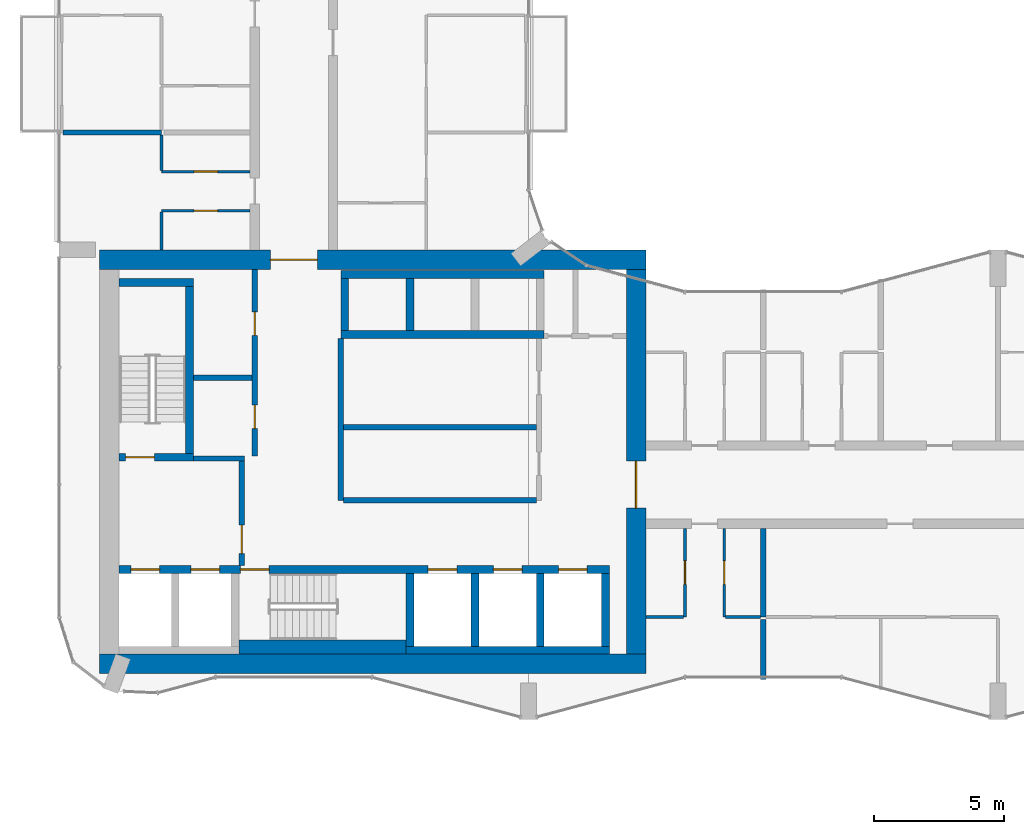
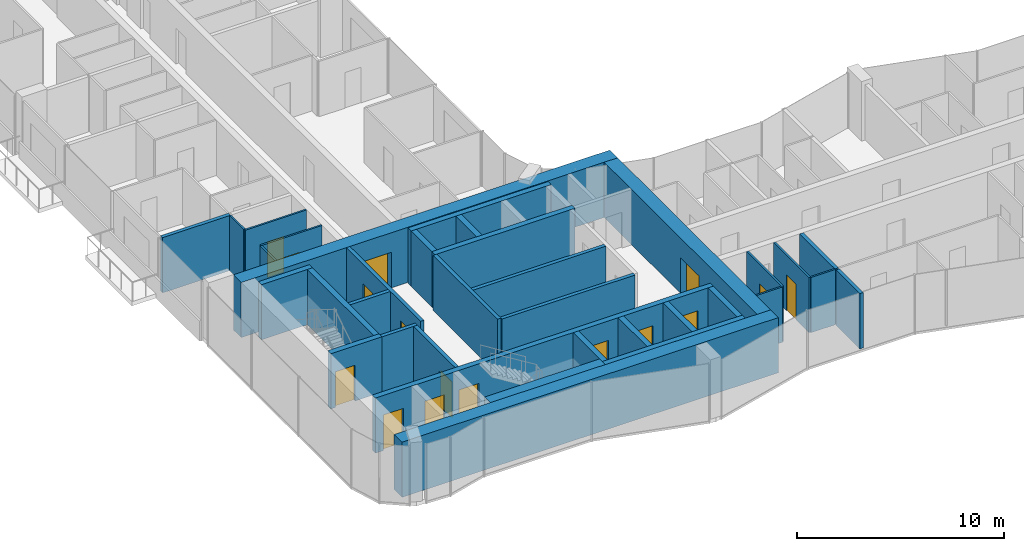
# One storey, part 13 of 23: 35 walls, 16 doors, 16 openings.
"""IFC4 building model written with IfcOpenShell, lengths in metres."""

from ifc_helpers import new_model, si_unit, direction, frame, frame_2d, origin, place, context, subcontext, project, spatial, rectangle, extrude, material, layer, layer_set, type_object, element, fill, save


model = new_model("IFC4")

# Units and contexts
model_context = context("Model", 3, precision=1e-05, world=origin(), true_north=direction((0.0, 1.0)))
body_context = subcontext(model_context, "Body", "Model", "MODEL_VIEW")
ifc_project = project(units=[si_unit("LENGTHUNIT", "METRE"), si_unit("AREAUNIT", "SQUARE_METRE"), si_unit("VOLUMEUNIT", "CUBIC_METRE"), si_unit("PLANEANGLEUNIT", "RADIAN"), si_unit("MASSUNIT", "GRAM", prefix="KILO")], contexts=[model_context])

# Site, building, storey
site_placement = place(None, origin())
site = spatial("IfcSite", under=ifc_project, at=site_placement, CompositionType="ELEMENT")
building_placement = place(site_placement, origin())
building = spatial("IfcBuilding", under=site, at=building_placement, Name="Plateau Cross Towers", CompositionType="ELEMENT")
storey_placement = place(building_placement, frame((0.0, 0.0, 33.800048828125)))
storey = spatial("IfcBuildingStorey", under=building, at=storey_placement, Name="L07", CompositionType="ELEMENT", Elevation=33.800048828125)

# Wall, opening, door
ifc_material_1 = material(Name="Concrete block, plastered both sides", Category="concrete")
ifc_layer_1 = layer(ifc_material_1, 0.199951171875)
ifc_layer_set_1 = layer_set([ifc_layer_1], Name="Concrete block, plastered both sides")
wall_type_1 = type_object("IfcWallType", Name="Core partition 200", PredefinedType="PARTITIONING", material=ifc_layer_set_1)
wall_1_placement = place(storey_placement, frame((7.0, 5.89990234375, 0.0), z_axis=(0.0, 0.0, 1.0), x_axis=(0.0, 1.0, 0.0)))
wall_1 = element("IfcWall", 1, at=wall_1_placement, inside=storey, type_object=wall_type_1, Name="Core partition", PredefinedType="PARTITIONING", context=body_context, shape_type="SweptSolid", body=[
    extrude(rectangle(XDim=4.0, YDim=0.199951171875, at=frame_2d((2.0, 0.0))), origin(), (0.0, 0.0, 1.0), 3.25),
])
opening_1_placement = place(wall_1_placement, frame((0.449951171875, 0.0, 0.0)))
opening_1 = element("IfcOpeningElement", 2, at=opening_1_placement, cuts=wall_1, Name="Opening FFD", PredefinedType="OPENING", context=body_context, shape_type="SweptSolid", body=[
    extrude(rectangle(XDim=1.10009765625, YDim=2.10009765625, at=frame_2d((0.550048828125, 1.050048828125))), frame((0.0, 0.10986328125, 0.0), z_axis=(0.0, -1.0, 0.0), x_axis=(1.0, 0.0, 0.0)), (0.0, 0.0, 1.0), 0.219970703125),
])
ifc_material_2 = material(Name="Steel, fire-resisting leaf", Category="steel")
door_type_1 = type_object("IfcDoorType", Name="Firefighting lobby door 1100", OperationType="NOTDEFINED", PredefinedType="DOOR", material=ifc_material_2)
door_1_placement = place(opening_1_placement, origin())
door_1 = element("IfcDoor", 3, at=door_1_placement, inside=storey, type_object=door_type_1, Name="Firefighting lobby door FFD", OperationType="SINGLE_SWING_LEFT", OverallHeight=2.10009765625, OverallWidth=1.10009765625, PredefinedType="DOOR", context=body_context, shape_type="SweptSolid", body=[
    extrude(rectangle(XDim=1.10009765625, YDim=2.10009765625, at=frame_2d((0.550048828125, 1.050048828125))), frame((0.0, 0.02490234375, 0.0), z_axis=(0.0, -1.0, 0.0), x_axis=(1.0, 0.0, 0.0)), (0.0, 0.0, 1.0), 0.050048828125),
])
fill(opening_1, door_1)

# Walls
wall_2_placement = place(storey_placement, frame((5.14990234375, 10.0, 0.0), z_axis=(0.0, 0.0, 1.0), x_axis=(1.0, 0.0, 0.0)))
element("IfcWall", 4, at=wall_2_placement, inside=storey, type_object=wall_type_1, Name="Core partition", PredefinedType="PARTITIONING", context=body_context, shape_type="SweptSolid", body=[
    extrude(rectangle(XDim=1.9501953125, YDim=0.199951171875, at=frame_2d((0.97509765625, 0.0))), origin(), (0.0, 0.0, 1.0), 3.25),
])
wall_3_placement = place(storey_placement, frame((10.800048828125, 8.39990234375, 0.0), z_axis=(0.0, 0.0, 1.0), x_axis=(0.0, 1.0, 0.0)))
element("IfcWall", 5, at=wall_3_placement, inside=storey, type_object=wall_type_1, Name="Core partition", PredefinedType="PARTITIONING", context=body_context, shape_type="SweptSolid", body=[
    extrude(rectangle(XDim=6.2001953125, YDim=0.199951171875, at=frame_2d((3.10009765625, 0.0))), origin(), (0.0, 0.0, 1.0), 3.25),
])
for number, where, z_axis, x_axis, name in (
    (6, (10.89990234375, 8.39990234375, 0.0), (0.0, 0.0, 1.0), (1.0, 0.0, 0.0), "Core partition"),
    (7, (10.89990234375, 11.199951171875, 0.0), (0.0, 0.0, 1.0), (1.0, 0.0, 0.0), "Core partition"),
):
    element("IfcWall", number, at=place(storey_placement, frame(where, z_axis=z_axis, x_axis=x_axis)), inside=storey, type_object=wall_type_1, Name=name, PredefinedType="PARTITIONING", context=body_context, shape_type="SweptSolid", body=[
        extrude(rectangle(XDim=7.400146484375, YDim=0.199951171875, at=frame_2d((3.7001953125, 0.0))), origin(), (0.0, 0.0, 1.0), 3.25),
    ])

# Wall, openings, doors
wall_4_placement = place(storey_placement, frame((7.5, 10.10009765625, 0.0), z_axis=(0.0, 0.0, 1.0), x_axis=(0.0, 1.0, 0.0)))
wall_4 = element("IfcWall", 8, at=wall_4_placement, inside=storey, type_object=wall_type_1, Name="Core partition", PredefinedType="PARTITIONING", context=body_context, shape_type="SweptSolid", body=[
    extrude(rectangle(XDim=7.14990234375, YDim=0.199951171875, at=frame_2d((3.574951171875, 0.0))), origin(), (0.0, 0.0, 1.0), 3.25),
])
opening_2_placement = place(wall_4_placement, frame((1.050048828125, 0.0, 0.0)))
opening_2 = element("IfcOpeningElement", 9, at=opening_2_placement, cuts=wall_4, Name="Opening RD1", PredefinedType="OPENING", context=body_context, shape_type="SweptSolid", body=[
    extrude(rectangle(XDim=0.89990234375, YDim=2.10009765625, at=frame_2d((0.449951171875, 1.050048828125))), frame((0.0, 0.10986328125, 0.0), z_axis=(0.0, -1.0, 0.0), x_axis=(1.0, 0.0, 0.0)), (0.0, 0.0, 1.0), 0.219970703125),
])
opening_3_placement = place(wall_4_placement, frame((4.625, 0.0, 0.0)))
opening_3 = element("IfcOpeningElement", 10, at=opening_3_placement, cuts=wall_4, Name="Opening RD1", PredefinedType="OPENING", context=body_context, shape_type="SweptSolid", body=[
    extrude(rectangle(XDim=0.89990234375, YDim=2.10009765625, at=frame_2d((0.449951171875, 1.050048828125))), frame((0.0, 0.10986328125, 0.0), z_axis=(0.0, -1.0, 0.0), x_axis=(1.0, 0.0, 0.0)), (0.0, 0.0, 1.0), 0.219970703125),
])
ifc_material_3 = material(Name="Timber, fire-resisting leaf", Category="wood")
door_type_2 = type_object("IfcDoorType", Name="Core service door 900", OperationType="NOTDEFINED", PredefinedType="DOOR", material=ifc_material_3)
door_2_placement = place(opening_2_placement, origin())
door_2 = element("IfcDoor", 11, at=door_2_placement, inside=storey, type_object=door_type_2, Name="Core service door RD1", OperationType="SINGLE_SWING_RIGHT", OverallHeight=2.10009765625, OverallWidth=0.89990234375, PredefinedType="DOOR", context=body_context, shape_type="SweptSolid", body=[
    extrude(rectangle(XDim=0.89990234375, YDim=2.10009765625, at=frame_2d((0.449951171875, 1.050048828125))), frame((0.0, 0.02490234375, 0.0), z_axis=(0.0, -1.0, 0.0), x_axis=(1.0, 0.0, 0.0)), (0.0, 0.0, 1.0), 0.050048828125),
])
fill(opening_2, door_2)
door_3_placement = place(opening_3_placement, origin())
door_3 = element("IfcDoor", 12, at=door_3_placement, inside=storey, type_object=door_type_2, Name="Core service door RD1", OperationType="SINGLE_SWING_RIGHT", OverallHeight=2.10009765625, OverallWidth=0.89990234375, PredefinedType="DOOR", context=body_context, shape_type="SweptSolid", body=[
    extrude(rectangle(XDim=0.89990234375, YDim=2.10009765625, at=frame_2d((0.449951171875, 1.050048828125))), frame((0.0, 0.02490234375, 0.0), z_axis=(0.0, -1.0, 0.0), x_axis=(1.0, 0.0, 0.0)), (0.0, 0.0, 1.0), 0.050048828125),
])
fill(opening_3, door_3)

# Walls
wall_5_placement = place(storey_placement, frame((5.14990234375, 13.10009765625, 0.0), z_axis=(0.0, 0.0, 1.0), x_axis=(1.0, 0.0, 0.0)))
element("IfcWall", 13, at=wall_5_placement, inside=storey, type_object=wall_type_1, Name="Core partition", PredefinedType="PARTITIONING", context=body_context, shape_type="SweptSolid", body=[
    extrude(rectangle(XDim=2.25, YDim=0.199951171875, at=frame_2d((1.125, 0.0))), origin(), (0.0, 0.0, 1.0), 3.25),
])
ifc_material_4 = material(Name="Concrete C60/75", Category="concrete")
ifc_layer_2 = layer(ifc_material_4, 0.300048828125)
ifc_layer_set_2 = layer_set([ifc_layer_2], Name="Concrete C60/75")
wall_type_2 = type_object("IfcWallType", Name="Core shaft wall 300", PredefinedType="SHEAR", material=ifc_layer_set_2)
wall_6_placement = place(storey_placement, frame((13.300048828125, 2.64990234375, 0.0), z_axis=(0.0, 0.0, 1.0), x_axis=(1.0, 0.0, 0.0)))
element("IfcWall", 14, at=wall_6_placement, inside=storey, type_object=wall_type_2, Name="A-sb-back3@L07", PredefinedType="SHEAR", context=body_context, shape_type="SweptSolid", body=[
    extrude(rectangle(XDim=7.800048828125, YDim=0.300048828125, at=frame_2d((3.89990234375, 0.0))), origin(), (0.0, 0.0, 1.0), 3.25),
])
for number, where, z_axis, x_axis, name in (
    (15, (13.449951171875, 2.800048828125, 0.0), (0.0, 0.0, 1.0), (0.0, 1.0, 0.0), "A-sb-v3@L07"),
    (16, (15.949951171875, 2.800048828125, 0.0), (0.0, 0.0, 1.0), (0.0, 1.0, 0.0), "A-sb-v4@L07"),
    (17, (18.449951171875, 2.800048828125, 0.0), (0.0, 0.0, 1.0), (0.0, 1.0, 0.0), "A-sb-v5@L07"),
    (18, (20.949951171875, 2.800048828125, 0.0), (0.0, 0.0, 1.0), (0.0, 1.0, 0.0), "A-sb-v6@L07"),
):
    element("IfcWall", number, at=place(storey_placement, frame(where, z_axis=z_axis, x_axis=x_axis)), inside=storey, type_object=wall_type_2, Name=name, PredefinedType="SHEAR", context=body_context, shape_type="SweptSolid", body=[
        extrude(rectangle(XDim=2.800048828125, YDim=0.300048828125, at=frame_2d((1.39990234375, 0.0))), origin(), (0.0, 0.0, 1.0), 3.25),
    ])

# Wall, openings, doors
wall_7_placement = place(storey_placement, frame((2.300048828125, 5.75, 0.0), z_axis=(0.0, 0.0, 1.0), x_axis=(1.0, 0.0, 0.0)))
wall_7 = element("IfcWall", 19, at=wall_7_placement, inside=storey, type_object=wall_type_2, Name="A-sb-front@L07", PredefinedType="SHEAR", context=body_context, shape_type="SweptSolid", body=[
    extrude(rectangle(XDim=18.800048828125, YDim=0.300048828125, at=frame_2d((9.39990234375, 0.0))), origin(), (0.0, 0.0, 1.0), 3.25),
])
opening_4_placement = place(wall_7_placement, frame((4.64990234375, 0.0, 0.0)))
opening_4 = element("IfcOpeningElement", 20, at=opening_4_placement, cuts=wall_7, Name="Opening SD", PredefinedType="OPENING", context=body_context, shape_type="SweptSolid", body=[
    extrude(rectangle(XDim=1.10009765625, YDim=2.10009765625, at=frame_2d((0.550048828125, 1.050048828125))), frame((0.0, 0.159912109375, 0.0), z_axis=(0.0, -1.0, 0.0), x_axis=(1.0, 0.0, 0.0)), (0.0, 0.0, 1.0), 0.320068359375),
])
opening_5_placement = place(wall_7_placement, frame((0.449951171875, 0.0, 0.0)))
opening_5 = element("IfcOpeningElement", 21, at=opening_5_placement, cuts=wall_7, Name="Opening LD", PredefinedType="OPENING", context=body_context, shape_type="SweptSolid", body=[
    extrude(rectangle(XDim=1.10009765625, YDim=2.10009765625, at=frame_2d((0.550048828125, 1.050048828125))), frame((0.0, 0.159912109375, 0.0), z_axis=(0.0, -1.0, 0.0), x_axis=(1.0, 0.0, 0.0)), (0.0, 0.0, 1.0), 0.320068359375),
])
opening_6_placement = place(wall_7_placement, frame((2.75, 0.0, 0.0)))
opening_6 = element("IfcOpeningElement", 22, at=opening_6_placement, cuts=wall_7, Name="Opening LD", PredefinedType="OPENING", context=body_context, shape_type="SweptSolid", body=[
    extrude(rectangle(XDim=1.10009765625, YDim=2.10009765625, at=frame_2d((0.550048828125, 1.050048828125))), frame((0.0, 0.159912109375, 0.0), z_axis=(0.0, -1.0, 0.0), x_axis=(1.0, 0.0, 0.0)), (0.0, 0.0, 1.0), 0.320068359375),
])
opening_7_placement = place(wall_7_placement, frame((11.85009765625, 0.0, 0.0)))
opening_7 = element("IfcOpeningElement", 23, at=opening_7_placement, cuts=wall_7, Name="Opening LD", PredefinedType="OPENING", context=body_context, shape_type="SweptSolid", body=[
    extrude(rectangle(XDim=1.10009765625, YDim=2.10009765625, at=frame_2d((0.550048828125, 1.050048828125))), frame((0.0, 0.159912109375, 0.0), z_axis=(0.0, -1.0, 0.0), x_axis=(1.0, 0.0, 0.0)), (0.0, 0.0, 1.0), 0.320068359375),
])
opening_8_placement = place(wall_7_placement, frame((14.35009765625, 0.0, 0.0)))
opening_8 = element("IfcOpeningElement", 24, at=opening_8_placement, cuts=wall_7, Name="Opening LD", PredefinedType="OPENING", context=body_context, shape_type="SweptSolid", body=[
    extrude(rectangle(XDim=1.10009765625, YDim=2.10009765625, at=frame_2d((0.550048828125, 1.050048828125))), frame((0.0, 0.159912109375, 0.0), z_axis=(0.0, -1.0, 0.0), x_axis=(1.0, 0.0, 0.0)), (0.0, 0.0, 1.0), 0.320068359375),
])
opening_9_placement = place(wall_7_placement, frame((16.85009765625, 0.0, 0.0)))
opening_9 = element("IfcOpeningElement", 25, at=opening_9_placement, cuts=wall_7, Name="Opening LD", PredefinedType="OPENING", context=body_context, shape_type="SweptSolid", body=[
    extrude(rectangle(XDim=1.10009765625, YDim=2.10009765625, at=frame_2d((0.550048828125, 1.050048828125))), frame((0.0, 0.159912109375, 0.0), z_axis=(0.0, -1.0, 0.0), x_axis=(1.0, 0.0, 0.0)), (0.0, 0.0, 1.0), 0.320068359375),
])
ifc_material_5 = material(Name="Stainless steel, fire-resisting sliding leaves", Category="steel")
door_type_3 = type_object("IfcDoorType", Name="Lift landing door 1100", OperationType="NOTDEFINED", PredefinedType="DOOR", material=ifc_material_5)
door_4_placement = place(opening_5_placement, origin())
door_4 = element("IfcDoor", 26, at=door_4_placement, inside=storey, type_object=door_type_3, Name="Lift landing door LD", OperationType="DOUBLE_DOOR_SLIDING", OverallHeight=2.10009765625, OverallWidth=1.10009765625, PredefinedType="DOOR", context=body_context, shape_type="SweptSolid", body=[
    extrude(rectangle(XDim=1.10009765625, YDim=2.10009765625, at=frame_2d((0.550048828125, 1.050048828125))), frame((0.0, 0.02490234375, 0.0), z_axis=(0.0, -1.0, 0.0), x_axis=(1.0, 0.0, 0.0)), (0.0, 0.0, 1.0), 0.050048828125),
])
fill(opening_5, door_4)
door_5_placement = place(opening_6_placement, origin())
door_5 = element("IfcDoor", 27, at=door_5_placement, inside=storey, type_object=door_type_3, Name="Lift landing door LD", OperationType="DOUBLE_DOOR_SLIDING", OverallHeight=2.10009765625, OverallWidth=1.10009765625, PredefinedType="DOOR", context=body_context, shape_type="SweptSolid", body=[
    extrude(rectangle(XDim=1.10009765625, YDim=2.10009765625, at=frame_2d((0.550048828125, 1.050048828125))), frame((0.0, 0.02490234375, 0.0), z_axis=(0.0, -1.0, 0.0), x_axis=(1.0, 0.0, 0.0)), (0.0, 0.0, 1.0), 0.050048828125),
])
fill(opening_6, door_5)
door_6_placement = place(opening_7_placement, origin())
door_6 = element("IfcDoor", 28, at=door_6_placement, inside=storey, type_object=door_type_3, Name="Lift landing door LD", OperationType="DOUBLE_DOOR_SLIDING", OverallHeight=2.10009765625, OverallWidth=1.10009765625, PredefinedType="DOOR", context=body_context, shape_type="SweptSolid", body=[
    extrude(rectangle(XDim=1.10009765625, YDim=2.10009765625, at=frame_2d((0.550048828125, 1.050048828125))), frame((0.0, 0.02490234375, 0.0), z_axis=(0.0, -1.0, 0.0), x_axis=(1.0, 0.0, 0.0)), (0.0, 0.0, 1.0), 0.050048828125),
])
fill(opening_7, door_6)
door_7_placement = place(opening_8_placement, origin())
door_7 = element("IfcDoor", 29, at=door_7_placement, inside=storey, type_object=door_type_3, Name="Lift landing door LD", OperationType="DOUBLE_DOOR_SLIDING", OverallHeight=2.10009765625, OverallWidth=1.10009765625, PredefinedType="DOOR", context=body_context, shape_type="SweptSolid", body=[
    extrude(rectangle(XDim=1.10009765625, YDim=2.10009765625, at=frame_2d((0.550048828125, 1.050048828125))), frame((0.0, 0.02490234375, 0.0), z_axis=(0.0, -1.0, 0.0), x_axis=(1.0, 0.0, 0.0)), (0.0, 0.0, 1.0), 0.050048828125),
])
fill(opening_8, door_7)
door_8_placement = place(opening_9_placement, origin())
door_8 = element("IfcDoor", 30, at=door_8_placement, inside=storey, type_object=door_type_3, Name="Lift landing door LD", OperationType="DOUBLE_DOOR_SLIDING", OverallHeight=2.10009765625, OverallWidth=1.10009765625, PredefinedType="DOOR", context=body_context, shape_type="SweptSolid", body=[
    extrude(rectangle(XDim=1.10009765625, YDim=2.10009765625, at=frame_2d((0.550048828125, 1.050048828125))), frame((0.0, 0.02490234375, 0.0), z_axis=(0.0, -1.0, 0.0), x_axis=(1.0, 0.0, 0.0)), (0.0, 0.0, 1.0), 0.050048828125),
])
fill(opening_9, door_8)
door_type_4 = type_object("IfcDoorType", Name="Stair door 1100", OperationType="NOTDEFINED", PredefinedType="DOOR", material=ifc_material_2)
door_9_placement = place(opening_4_placement, origin())
door_9 = element("IfcDoor", 31, at=door_9_placement, inside=storey, type_object=door_type_4, Name="Stair door SD", OperationType="SINGLE_SWING_LEFT", OverallHeight=2.10009765625, OverallWidth=1.10009765625, PredefinedType="DOOR", context=body_context, shape_type="SweptSolid", body=[
    extrude(rectangle(XDim=1.10009765625, YDim=2.10009765625, at=frame_2d((0.550048828125, 1.050048828125))), frame((0.0, 0.02490234375, 0.0), z_axis=(0.0, -1.0, 0.0), x_axis=(1.0, 0.0, 0.0)), (0.0, 0.0, 1.0), 0.050048828125),
])
fill(opening_4, door_9)

# Wall, opening, door
wall_8_placement = place(storey_placement, frame((2.300048828125, 10.050048828125, 0.0), z_axis=(0.0, 0.0, 1.0), x_axis=(1.0, 0.0, 0.0)))
wall_8 = element("IfcWall", 32, at=wall_8_placement, inside=storey, type_object=wall_type_2, Name="A-st1-S@L07", PredefinedType="SHEAR", context=body_context, shape_type="SweptSolid", body=[
    extrude(rectangle(XDim=2.849853515625, YDim=0.300048828125, at=frame_2d((1.4248046875, 0.0))), origin(), (0.0, 0.0, 1.0), 3.25),
])
opening_10_placement = place(wall_8_placement, frame((0.25, 0.0, 0.0)))
opening_10 = element("IfcOpeningElement", 33, at=opening_10_placement, cuts=wall_8, Name="Opening SD", PredefinedType="OPENING", context=body_context, shape_type="SweptSolid", body=[
    extrude(rectangle(XDim=1.10009765625, YDim=2.10009765625, at=frame_2d((0.550048828125, 1.050048828125))), frame((0.0, 0.159912109375, 0.0), z_axis=(0.0, -1.0, 0.0), x_axis=(1.0, 0.0, 0.0)), (0.0, 0.0, 1.0), 0.320068359375),
])
door_10_placement = place(opening_10_placement, origin())
door_10 = element("IfcDoor", 34, at=door_10_placement, inside=storey, type_object=door_type_4, Name="Stair door SD", OperationType="SINGLE_SWING_RIGHT", OverallHeight=2.10009765625, OverallWidth=1.10009765625, PredefinedType="DOOR", context=body_context, shape_type="SweptSolid", body=[
    extrude(rectangle(XDim=1.10009765625, YDim=2.10009765625, at=frame_2d((0.550048828125, 1.050048828125))), frame((0.0, 0.02490234375, 0.0), z_axis=(0.0, -1.0, 0.0), x_axis=(1.0, 0.0, 0.0)), (0.0, 0.0, 1.0), 0.050048828125),
])
fill(opening_10, door_10)

# Walls
wall_9_placement = place(storey_placement, frame((5.0, 10.199951171875, 0.0), z_axis=(0.0, 0.0, 1.0), x_axis=(0.0, 1.0, 0.0)))
element("IfcWall", 35, at=wall_9_placement, inside=storey, type_object=wall_type_2, Name="A-st1-E@L07", PredefinedType="SHEAR", context=body_context, shape_type="SweptSolid", body=[
    extrude(rectangle(XDim=6.400146484375, YDim=0.300048828125, at=frame_2d((3.2001953125, 0.0))), origin(), (0.0, 0.0, 1.0), 3.25),
])
wall_10_placement = place(storey_placement, frame((2.300048828125, 16.75, 0.0), z_axis=(0.0, 0.0, 1.0), x_axis=(1.0, 0.0, 0.0)))
element("IfcWall", 36, at=wall_10_placement, inside=storey, type_object=wall_type_2, Name="A-st1-N@L07", PredefinedType="SHEAR", context=body_context, shape_type="SweptSolid", body=[
    extrude(rectangle(XDim=2.849853515625, YDim=0.300048828125, at=frame_2d((1.4248046875, 0.0))), origin(), (0.0, 0.0, 1.0), 3.25),
])
for number, where, z_axis, x_axis, name in (
    (37, (10.800048828125, 17.050048828125, 0.0), (0.0, 0.0, 1.0), (1.0, 0.0, 0.0), "A-nb-back@L07"),
    (38, (10.800048828125, 14.75, 0.0), (0.0, 0.0, 1.0), (1.0, 0.0, 0.0), "A-nb-front@L07"),
):
    element("IfcWall", number, at=place(storey_placement, frame(where, z_axis=z_axis, x_axis=x_axis)), inside=storey, type_object=wall_type_2, Name=name, PredefinedType="SHEAR", context=body_context, shape_type="SweptSolid", body=[
        extrude(rectangle(XDim=7.800048828125, YDim=0.300048828125, at=frame_2d((3.89990234375, 0.0))), origin(), (0.0, 0.0, 1.0), 3.25),
    ])
for number, where, z_axis, x_axis, name in (
    (39, (10.949951171875, 14.89990234375, 0.0), (0.0, 0.0, 1.0), (0.0, 1.0, 0.0), "A-nb-v1@L07"),
    (40, (13.449951171875, 14.89990234375, 0.0), (0.0, 0.0, 1.0), (0.0, 1.0, 0.0), "A-nb-v2@L07"),
):
    element("IfcWall", number, at=place(storey_placement, frame(where, z_axis=z_axis, x_axis=x_axis)), inside=storey, type_object=wall_type_2, Name=name, PredefinedType="SHEAR", context=body_context, shape_type="SweptSolid", body=[
        extrude(rectangle(XDim=2.0, YDim=0.300048828125, at=frame_2d((1.0, 0.0))), origin(), (0.0, 0.0, 1.0), 3.25),
    ])
ifc_layer_3 = layer(ifc_material_4, 0.550048828125)
ifc_layer_set_3 = layer_set([ifc_layer_3], Name="Concrete C60/75")
wall_type_3 = type_object("IfcWallType", Name="Core shaft wall 550", PredefinedType="SHEAR", material=ifc_layer_set_3)
wall_11_placement = place(storey_placement, frame((6.89990234375, 2.77490234375, 0.0), z_axis=(0.0, 0.0, 1.0), x_axis=(1.0, 0.0, 0.0)))
element("IfcWall", 41, at=wall_11_placement, inside=storey, type_object=wall_type_3, Name="A-sb-back2@L07", PredefinedType="SHEAR", context=body_context, shape_type="SweptSolid", body=[
    extrude(rectangle(XDim=6.400146484375, YDim=0.550048828125, at=frame_2d((3.2001953125, 0.0))), origin(), (0.0, 0.0, 1.0), 3.25),
])
ifc_layer_4 = layer(ifc_material_4, 0.75)
ifc_layer_set_4 = layer_set([ifc_layer_4], Name="Concrete C60/75")
wall_type_4 = type_object("IfcWallType", Name="Core shell wall 750", PredefinedType="SHEAR", material=ifc_layer_set_4)
wall_12_placement = place(storey_placement, frame((1.550048828125, 2.125, 0.0), z_axis=(0.0, 0.0, 1.0), x_axis=(1.0, 0.0, 0.0)))
element("IfcWall", 42, at=wall_12_placement, inside=storey, type_object=wall_type_4, Name="A-core-S@L07", PredefinedType="SHEAR", context=body_context, shape_type="SweptSolid", body=[
    extrude(rectangle(XDim=20.949951171875, YDim=0.75, at=frame_2d((10.47509765625, 0.0))), origin(), (0.0, 0.0, 1.0), 3.25),
])

# Wall, opening, door
wall_13_placement = place(storey_placement, frame((1.550048828125, 17.625, 0.0), z_axis=(0.0, 0.0, 1.0), x_axis=(1.0, 0.0, 0.0)))
wall_13 = element("IfcWall", 43, at=wall_13_placement, inside=storey, type_object=wall_type_4, Name="A-core-N@L07", PredefinedType="SHEAR", context=body_context, shape_type="SweptSolid", body=[
    extrude(rectangle(XDim=20.949951171875, YDim=0.75, at=frame_2d((10.47509765625, 0.0))), origin(), (0.0, 0.0, 1.0), 3.25),
])
opening_11_placement = place(wall_13_placement, frame((6.550048828125, 0.0, 0.0)))
opening_11 = element("IfcOpeningElement", 44, at=opening_11_placement, cuts=wall_13, Name="Opening CD", PredefinedType="OPENING", context=body_context, shape_type="SweptSolid", body=[
    extrude(rectangle(XDim=1.800048828125, YDim=2.10009765625, at=frame_2d((0.89990234375, 1.050048828125))), frame((0.0, 0.385009765625, 0.0), z_axis=(0.0, -1.0, 0.0), x_axis=(1.0, 0.0, 0.0)), (0.0, 0.0, 1.0), 0.77001953125),
])
ifc_material_6 = material(Name="Steel, fire-resisting leaves", Category="steel")
door_type_5 = type_object("IfcDoorType", Name="Corridor door pair 1800", OperationType="NOTDEFINED", PredefinedType="DOOR", material=ifc_material_6)
door_11_placement = place(opening_11_placement, origin())
door_11 = element("IfcDoor", 45, at=door_11_placement, inside=storey, type_object=door_type_5, Name="Corridor door pair CD", OperationType="DOUBLE_DOOR_SINGLE_SWING", OverallHeight=2.10009765625, OverallWidth=1.800048828125, PredefinedType="DOOR", context=body_context, shape_type="SweptSolid", body=[
    extrude(rectangle(XDim=1.800048828125, YDim=2.10009765625, at=frame_2d((0.89990234375, 1.050048828125))), frame((0.0, 0.02490234375, 0.0), z_axis=(0.0, -1.0, 0.0), x_axis=(1.0, 0.0, 0.0)), (0.0, 0.0, 1.0), 0.050048828125),
])
fill(opening_11, door_11)

wall_14_placement = place(storey_placement, frame((22.125, 2.5, 0.0), z_axis=(0.0, 0.0, 1.0), x_axis=(0.0, 1.0, 0.0)))
wall_14 = element("IfcWall", 46, at=wall_14_placement, inside=storey, type_object=wall_type_4, Name="A-core-E@L07", PredefinedType="SHEAR", context=body_context, shape_type="SweptSolid", body=[
    extrude(rectangle(XDim=14.75, YDim=0.75, at=frame_2d((7.375, 0.0))), origin(), (0.0, 0.0, 1.0), 3.25),
])
opening_12_placement = place(wall_14_placement, frame((5.60009765625, 0.0, 0.0)))
opening_12 = element("IfcOpeningElement", 47, at=opening_12_placement, cuts=wall_14, Name="Opening CD", PredefinedType="OPENING", context=body_context, shape_type="SweptSolid", body=[
    extrude(rectangle(XDim=1.800048828125, YDim=2.10009765625, at=frame_2d((0.89990234375, 1.050048828125))), frame((0.0, 0.385009765625, 0.0), z_axis=(0.0, -1.0, 0.0), x_axis=(1.0, 0.0, 0.0)), (0.0, 0.0, 1.0), 0.77001953125),
])
door_12_placement = place(opening_12_placement, origin())
door_12 = element("IfcDoor", 48, at=door_12_placement, inside=storey, type_object=door_type_5, Name="Corridor door pair CD", OperationType="DOUBLE_DOOR_SINGLE_SWING", OverallHeight=2.10009765625, OverallWidth=1.800048828125, PredefinedType="DOOR", context=body_context, shape_type="SweptSolid", body=[
    extrude(rectangle(XDim=1.800048828125, YDim=2.10009765625, at=frame_2d((0.89990234375, 1.050048828125))), frame((0.0, 0.02490234375, 0.0), z_axis=(0.0, -1.0, 0.0), x_axis=(1.0, 0.0, 0.0)), (0.0, 0.0, 1.0), 0.050048828125),
])
fill(opening_12, door_12)

# Walls
ifc_material_7 = material(Name="Gypsum board on steel studs", Category="steel")
ifc_layer_5 = layer(ifc_material_7, 0.10009765625)
ifc_layer_set_5 = layer_set([ifc_layer_5], Name="Gypsum board on steel studs")
wall_type_5 = type_object("IfcWallType", Name="Flat partition 100", PredefinedType="PARTITIONING", material=ifc_layer_set_5)
wall_15_placement = place(storey_placement, frame((22.5, 3.925048828125, 0.0), z_axis=(0.0, 0.0, 1.0), x_axis=(1.0, 0.0, 0.0)))
element("IfcWall", 49, at=wall_15_placement, inside=storey, type_object=wall_type_5, Name="Partition wall", PredefinedType="PARTITIONING", context=body_context, shape_type="SweptSolid", body=[
    extrude(rectangle(XDim=1.449951171875, YDim=0.10009765625, at=frame_2d((0.72509765625, 0.0))), origin(), (0.0, 0.0, 1.0), 3.25),
])
wall_16_placement = place(storey_placement, frame((25.550048828125, 3.925048828125, 0.0), z_axis=(0.0, 0.0, 1.0), x_axis=(1.0, 0.0, 0.0)))
element("IfcWall", 50, at=wall_16_placement, inside=storey, type_object=wall_type_5, Name="Partition wall", PredefinedType="PARTITIONING", context=body_context, shape_type="SweptSolid", body=[
    extrude(rectangle(XDim=1.349853515625, YDim=0.10009765625, at=frame_2d((0.6748046875, 0.0))), origin(), (0.0, 0.0, 1.0), 3.25),
])

# Wall, opening, door
wall_17_placement = place(storey_placement, frame((7.324951171875, 19.5, 0.0), z_axis=(0.0, 0.0, 1.0), x_axis=(-1.0, 0.0, 0.0)))
wall_17 = element("IfcWall", 51, at=wall_17_placement, inside=storey, type_object=wall_type_5, Name="Partition wall", PredefinedType="PARTITIONING", context=body_context, shape_type="SweptSolid", body=[
    extrude(rectangle(XDim=3.39990234375, YDim=0.10009765625, at=frame_2d((1.699951171875, 0.0))), origin(), (0.0, 0.0, 1.0), 3.25),
])
opening_13_placement = place(wall_17_placement, frame((1.25, 0.0, 0.0)))
opening_13 = element("IfcOpeningElement", 52, at=opening_13_placement, cuts=wall_17, Name="Opening 07-32", PredefinedType="OPENING", context=body_context, shape_type="SweptSolid", body=[
    extrude(rectangle(XDim=0.89990234375, YDim=2.10009765625, at=frame_2d((0.449951171875, 1.050048828125))), frame((0.0, 0.06005859375, 0.0), z_axis=(0.0, -1.0, 0.0), x_axis=(1.0, 0.0, 0.0)), (0.0, 0.0, 1.0), 0.1201171875),
])
ifc_material_8 = material(Name="Timber leaf", Category="wood")
door_type_6 = type_object("IfcDoorType", Name="Flat room door 900", OperationType="NOTDEFINED", PredefinedType="DOOR", material=ifc_material_8)
door_13_placement = place(opening_13_placement, origin())
door_13 = element("IfcDoor", 53, at=door_13_placement, inside=storey, type_object=door_type_6, Name="Door 07-32", OperationType="SINGLE_SWING_LEFT", OverallHeight=2.10009765625, OverallWidth=0.89990234375, PredefinedType="DOOR", context=body_context, shape_type="SweptSolid", body=[
    extrude(rectangle(XDim=0.89990234375, YDim=2.10009765625, at=frame_2d((0.449951171875, 1.050048828125))), frame((0.0, 0.02490234375, 0.0), z_axis=(0.0, -1.0, 0.0), x_axis=(1.0, 0.0, 0.0)), (0.0, 0.0, 1.0), 0.050048828125),
])
fill(opening_13, door_13)

wall_18_placement = place(storey_placement, frame((3.925048828125, 21.0, 0.0), z_axis=(0.0, 0.0, 1.0), x_axis=(1.0, 0.0, 0.0)))
wall_18 = element("IfcWall", 54, at=wall_18_placement, inside=storey, type_object=wall_type_5, Name="Partition wall", PredefinedType="PARTITIONING", context=body_context, shape_type="SweptSolid", body=[
    extrude(rectangle(XDim=3.39990234375, YDim=0.10009765625, at=frame_2d((1.699951171875, 0.0))), origin(), (0.0, 0.0, 1.0), 3.25),
])
opening_14_placement = place(wall_18_placement, frame((1.25, 0.0, 0.0)))
opening_14 = element("IfcOpeningElement", 55, at=opening_14_placement, cuts=wall_18, Name="Opening 07-33", PredefinedType="OPENING", context=body_context, shape_type="SweptSolid", body=[
    extrude(rectangle(XDim=0.89990234375, YDim=2.10009765625, at=frame_2d((0.449951171875, 1.050048828125))), frame((0.0, 0.06005859375, 0.0), z_axis=(0.0, -1.0, 0.0), x_axis=(1.0, 0.0, 0.0)), (0.0, 0.0, 1.0), 0.1201171875),
])
door_14_placement = place(opening_14_placement, origin())
door_14 = element("IfcDoor", 56, at=door_14_placement, inside=storey, type_object=door_type_6, Name="Door 07-33", OperationType="SINGLE_SWING_LEFT", OverallHeight=2.10009765625, OverallWidth=0.89990234375, PredefinedType="DOOR", context=body_context, shape_type="SweptSolid", body=[
    extrude(rectangle(XDim=0.89990234375, YDim=2.10009765625, at=frame_2d((0.449951171875, 1.050048828125))), frame((0.0, 0.02490234375, 0.0), z_axis=(0.0, -1.0, 0.0), x_axis=(1.0, 0.0, 0.0)), (0.0, 0.0, 1.0), 0.050048828125),
])
fill(opening_14, door_14)

# Walls
wall_19_placement = place(storey_placement, frame((3.925048828125, 19.449951171875, 0.0), z_axis=(0.0, 0.0, 1.0), x_axis=(0.0, -1.0, 0.0)))
element("IfcWall", 57, at=wall_19_placement, inside=storey, type_object=wall_type_5, Name="Partition wall", PredefinedType="PARTITIONING", context=body_context, shape_type="SweptSolid", body=[
    extrude(rectangle(XDim=1.449951171875, YDim=0.10009765625, at=frame_2d((0.72509765625, 0.0))), origin(), (0.0, 0.0, 1.0), 3.25),
])
wall_20_placement = place(storey_placement, frame((3.925048828125, 22.39990234375, 0.0), z_axis=(0.0, 0.0, 1.0), x_axis=(0.0, -1.0, 0.0)))
element("IfcWall", 58, at=wall_20_placement, inside=storey, type_object=wall_type_5, Name="Partition wall", PredefinedType="PARTITIONING", context=body_context, shape_type="SweptSolid", body=[
    extrude(rectangle(XDim=1.349853515625, YDim=0.10009765625, at=frame_2d((0.6748046875, 0.0))), origin(), (0.0, 0.0, 1.0), 3.25),
])

# Wall, opening, door
wall_21_placement = place(storey_placement, frame((24.0, 3.925048828125, 0.0), z_axis=(0.0, 0.0, 1.0), x_axis=(0.0, 1.0, 0.0)))
wall_21 = element("IfcWall", 59, at=wall_21_placement, inside=storey, type_object=wall_type_5, Name="Partition wall", PredefinedType="PARTITIONING", context=body_context, shape_type="SweptSolid", body=[
    extrude(rectangle(XDim=3.39990234375, YDim=0.10009765625, at=frame_2d((1.699951171875, 0.0))), origin(), (0.0, 0.0, 1.0), 3.25),
])
opening_15_placement = place(wall_21_placement, frame((1.25, 0.0, 0.0)))
opening_15 = element("IfcOpeningElement", 60, at=opening_15_placement, cuts=wall_21, Name="Opening 07-17", PredefinedType="OPENING", context=body_context, shape_type="SweptSolid", body=[
    extrude(rectangle(XDim=0.89990234375, YDim=2.10009765625, at=frame_2d((0.449951171875, 1.050048828125))), frame((0.0, 0.06005859375, 0.0), z_axis=(0.0, -1.0, 0.0), x_axis=(1.0, 0.0, 0.0)), (0.0, 0.0, 1.0), 0.1201171875),
])
door_15_placement = place(opening_15_placement, origin())
door_15 = element("IfcDoor", 61, at=door_15_placement, inside=storey, type_object=door_type_6, Name="Door 07-17", OperationType="SINGLE_SWING_LEFT", OverallHeight=2.10009765625, OverallWidth=0.89990234375, PredefinedType="DOOR", context=body_context, shape_type="SweptSolid", body=[
    extrude(rectangle(XDim=0.89990234375, YDim=2.10009765625, at=frame_2d((0.449951171875, 1.050048828125))), frame((0.0, 0.02490234375, 0.0), z_axis=(0.0, -1.0, 0.0), x_axis=(1.0, 0.0, 0.0)), (0.0, 0.0, 1.0), 0.050048828125),
])
fill(opening_15, door_15)

wall_22_placement = place(storey_placement, frame((25.5, 7.324951171875, 0.0), z_axis=(0.0, 0.0, 1.0), x_axis=(0.0, -1.0, 0.0)))
wall_22 = element("IfcWall", 62, at=wall_22_placement, inside=storey, type_object=wall_type_5, Name="Partition wall", PredefinedType="PARTITIONING", context=body_context, shape_type="SweptSolid", body=[
    extrude(rectangle(XDim=3.39990234375, YDim=0.10009765625, at=frame_2d((1.699951171875, 0.0))), origin(), (0.0, 0.0, 1.0), 3.25),
])
opening_16_placement = place(wall_22_placement, frame((1.25, 0.0, 0.0)))
opening_16 = element("IfcOpeningElement", 63, at=opening_16_placement, cuts=wall_22, Name="Opening 07-18", PredefinedType="OPENING", context=body_context, shape_type="SweptSolid", body=[
    extrude(rectangle(XDim=0.89990234375, YDim=2.10009765625, at=frame_2d((0.449951171875, 1.050048828125))), frame((0.0, 0.06005859375, 0.0), z_axis=(0.0, -1.0, 0.0), x_axis=(1.0, 0.0, 0.0)), (0.0, 0.0, 1.0), 0.1201171875),
])
door_16_placement = place(opening_16_placement, origin())
door_16 = element("IfcDoor", 64, at=door_16_placement, inside=storey, type_object=door_type_6, Name="Door 07-18", OperationType="SINGLE_SWING_LEFT", OverallHeight=2.10009765625, OverallWidth=0.89990234375, PredefinedType="DOOR", context=body_context, shape_type="SweptSolid", body=[
    extrude(rectangle(XDim=0.89990234375, YDim=2.10009765625, at=frame_2d((0.449951171875, 1.050048828125))), frame((0.0, 0.02490234375, 0.0), z_axis=(0.0, -1.0, 0.0), x_axis=(1.0, 0.0, 0.0)), (0.0, 0.0, 1.0), 0.050048828125),
])
fill(opening_16, door_16)

# Walls
ifc_material_9 = material(Name="Gypsum board on steel studs, two layers each side", Category="steel")
ifc_layer_6 = layer(ifc_material_9, 0.199951171875)
ifc_layer_set_6 = layer_set([ifc_layer_6], Name="Gypsum board on steel studs, two layers each side")
wall_type_6 = type_object("IfcWallType", Name="Flat party wall 200", PredefinedType="PARTITIONING", material=ifc_layer_set_6)
wall_23_placement = place(storey_placement, frame((0.14990234375, 22.5, 0.0), z_axis=(0.0, 0.0, 1.0), x_axis=(1.0, 0.0, 0.0)))
element("IfcWall", 65, at=wall_23_placement, inside=storey, type_object=wall_type_6, Name="Party wall", PredefinedType="PARTITIONING", context=body_context, shape_type="SweptSolid", body=[
    extrude(rectangle(XDim=3.775146484375, YDim=0.199951171875, at=frame_2d((1.8876953125, 0.0))), origin(), (0.0, 0.0, 1.0), 3.25),
])
wall_24_placement = place(storey_placement, frame((27.0, 3.824951171875, 0.0), z_axis=(0.0, 0.0, 1.0), x_axis=(0.0, -1.0, 0.0)))
element("IfcWall", 66, at=wall_24_placement, inside=storey, type_object=wall_type_6, Name="Party wall", PredefinedType="PARTITIONING", context=body_context, shape_type="SweptSolid", body=[
    extrude(rectangle(XDim=2.298095703125, YDim=0.199951171875, at=frame_2d((1.14892578125, 0.0))), origin(), (0.0, 0.0, 1.0), 3.25),
])
wall_25_placement = place(storey_placement, frame((27.0, 3.925048828125, 0.0), z_axis=(0.0, 0.0, 1.0), x_axis=(0.0, 1.0, 0.0)))
element("IfcWall", 67, at=wall_25_placement, inside=storey, type_object=wall_type_6, Name="Party wall", PredefinedType="PARTITIONING", context=body_context, shape_type="SweptSolid", body=[
    extrude(rectangle(XDim=3.39990234375, YDim=0.199951171875, at=frame_2d((1.699951171875, 0.0))), origin(), (0.0, 0.0, 1.0), 3.25),
])

save(model, "model.ifc")
